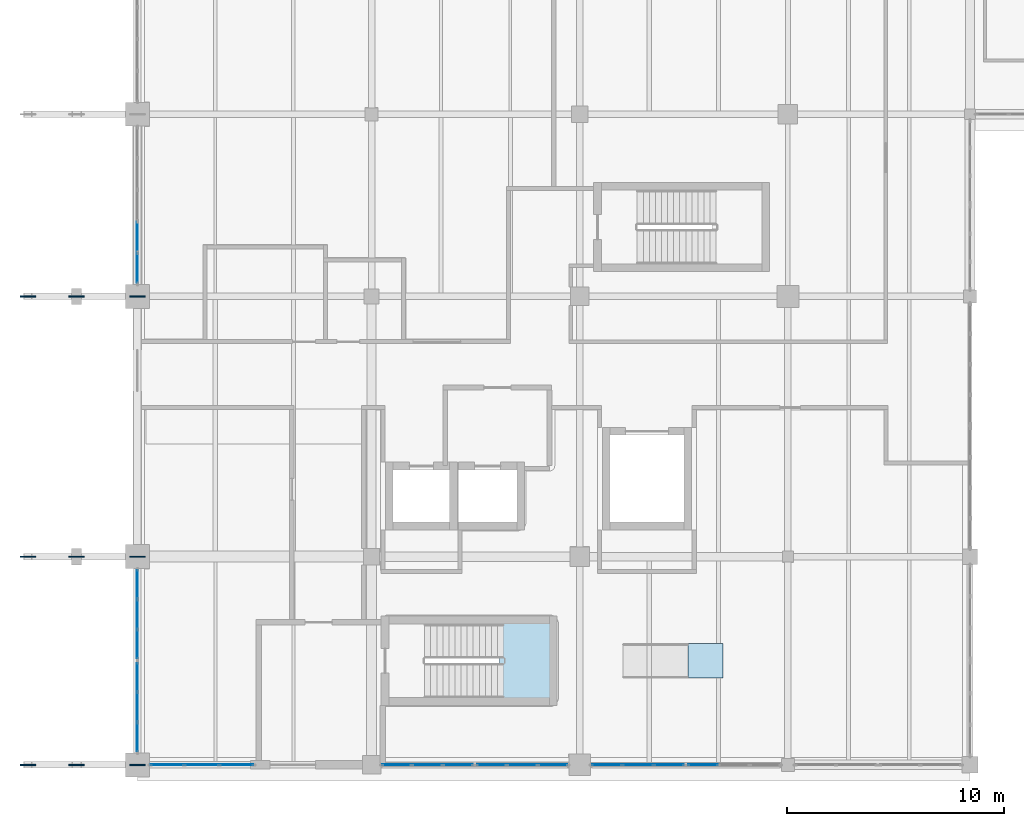
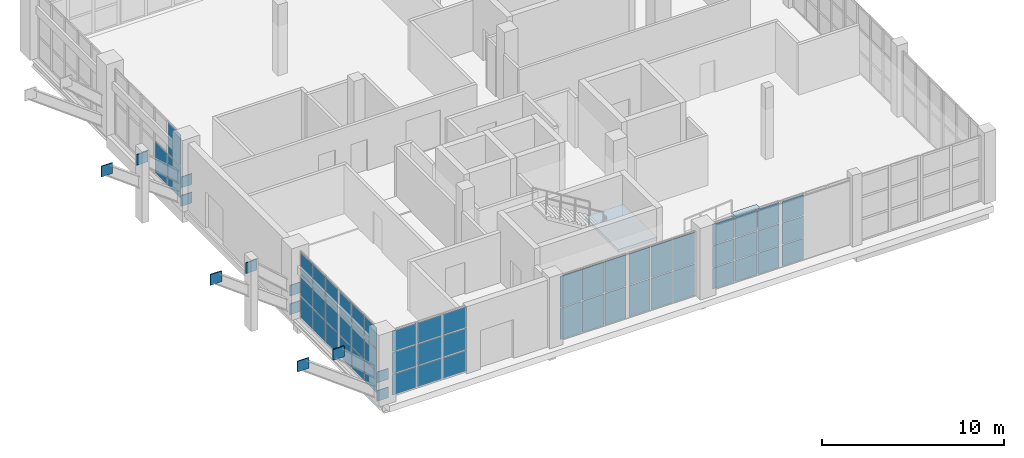
# One storey, part 72 of 121: 66 plates, 2 slabs, 10 elements without a shape of their own.
"""IFC4 building model written with IfcOpenShell, lengths in metres."""

import ifcopenshell
import ifcopenshell.guid

model = None  # the IFC model being written
_history = None  # IfcOwnerHistory: only IFC2X3 demands one
_inside = {}  # id of a spatial element -> (the spatial element, [elements in it])
_under = {}  # id of a project, library or spatial element -> (it, [spatial elements below it])
_declared = {}  # id of a project -> (the project, [libraries it declares])
_typed = {}  # id of a type object -> (the type object, [elements of that type])
_made_of = {}  # id of a material, layer set ... -> (it, [elements and type objects made of it])


def new_model(schema):
    """Start an empty IFC model of exactly this schema.

    Asked for "IFC4X3", IfcOpenShell would pick the latest addendum, in which some entities
    have other attributes; the version numbers below select the first issue.
    IFC2X3 requires an IfcOwnerHistory on every rooted entity: one is made here for all.
    """
    global model, _history
    if schema == "IFC4X3":
        model = ifcopenshell.file(schema_version=(4, 3, 0, 0))
    else:
        model = ifcopenshell.file(schema=schema)
    _inside.clear()
    _under.clear()
    _declared.clear()
    _typed.clear()
    _made_of.clear()
    _history = None
    if model.schema == "IFC2X3":
        org = make("IfcOrganization", Name="unknown")
        user = make(
            "IfcPersonAndOrganization",
            ThePerson=make("IfcPerson", FamilyName="unknown"),
            TheOrganization=org,
        )
        app = make(
            "IfcApplication",
            ApplicationDeveloper=org,
            Version="unknown",
            ApplicationFullName="unknown",
            ApplicationIdentifier="unknown",
        )
        _history = make(
            "IfcOwnerHistory",
            OwningUser=user,
            OwningApplication=app,
            ChangeAction="ADDED",
            CreationDate=0,
        )
    return model


def make(cls, **values):
    """One entity of the class cls with the attributes given. An attribute that is None is left unset."""
    return model.create_entity(
        cls, **{name: value for name, value in values.items() if value is not None}
    )


def rooted(cls, **values):
    """An entity with a GlobalId (a new one), such as an element, a storey or a relation."""
    return make(cls, GlobalId=ifcopenshell.guid.new(), OwnerHistory=_history, **values)


def si_unit(unit_type, name, prefix=None):
    """IfcSIUnit, for example si_unit("LENGTHUNIT", "METRE", prefix="MILLI")."""
    return make("IfcSIUnit", UnitType=unit_type, Prefix=prefix, Name=name)


def assignment(units):
    """IfcUnitAssignment: the units of a project."""
    return None if units is None else make("IfcUnitAssignment", Units=units)


def point(xyz):
    """IfcCartesianPoint."""
    return None if xyz is None else make("IfcCartesianPoint", Coordinates=xyz)


def direction(xyz):
    """IfcDirection."""
    return None if xyz is None else make("IfcDirection", DirectionRatios=xyz)


def frame(location, z_axis=None, x_axis=None):
    """IfcAxis2Placement3D, a coordinate frame: its origin and axes. An axis left out is left unset."""
    return make(
        "IfcAxis2Placement3D",
        Location=point(location),
        Axis=direction(z_axis),
        RefDirection=direction(x_axis),
    )


def frame_2d(location, x_axis=None):
    """IfcAxis2Placement2D, a coordinate frame in the plane: its origin and x axis."""
    return make(
        "IfcAxis2Placement2D", Location=point(location), RefDirection=direction(x_axis)
    )


def origin():
    """The frame at (0, 0, 0) with its axes left unset."""
    return frame((0.0, 0.0, 0.0))


def origin_2d():
    """The frame at (0, 0) in the plane with its x axis left unset."""
    return frame_2d((0.0, 0.0))


def place(relative_to, where):
    """IfcLocalPlacement: puts the frame where relative to a parent placement (None: the world)."""
    return make(
        "IfcLocalPlacement", PlacementRelTo=relative_to, RelativePlacement=where
    )


def context(
    kind, dimensions, precision=None, world=None, true_north=None, identifier=None
):
    """IfcGeometricRepresentationContext, for example the 3D "Model" context."""
    return make(
        "IfcGeometricRepresentationContext",
        ContextIdentifier=identifier,
        ContextType=kind,
        CoordinateSpaceDimension=dimensions,
        Precision=precision,
        WorldCoordinateSystem=world,
        TrueNorth=true_north,
    )


def subcontext(parent, identifier, kind, view, scale=None):
    """IfcGeometricRepresentationSubContext, for example "Body" below "Model"."""
    return make(
        "IfcGeometricRepresentationSubContext",
        ContextIdentifier=identifier,
        ContextType=kind,
        ParentContext=parent,
        TargetScale=scale,
        TargetView=view,
    )


def project(units=None, contexts=None):
    """IfcProject with its units and contexts."""
    return rooted(
        "IfcProject",
        Name="project",
        RepresentationContexts=contexts,
        UnitsInContext=assignment(units),
    )


def spatial(cls, under=None, at=None, **own):
    """A site, building, storey or space (cls), placed at a placement, below another one or the project."""
    s = rooted(cls, ObjectPlacement=at, **own)
    if under is not None:
        _under.setdefault(under.id(), (under, []))[1].append(s)
    return s


def polyline(points):
    """IfcPolyline through the points."""
    return make("IfcPolyline", Points=[point(p) for p in points])


def profile(cls, at=None, kind="AREA", **sizes):
    """A parametric profile (cls). Its sizes go by their IFC names, for example OverallWidth=200.0."""
    return make(cls, ProfileType=kind, Position=at, **sizes)


def rectangle(**sizes):
    """IfcRectangleProfileDef."""
    return profile("IfcRectangleProfileDef", **sizes)


def outline(outer, holes=None, kind="AREA"):
    """IfcArbitraryClosedProfileDef: a profile drawn as a closed curve; with holes, ...WithVoids."""
    if holes is None:
        return make("IfcArbitraryClosedProfileDef", ProfileType=kind, OuterCurve=outer)
    return make(
        "IfcArbitraryProfileDefWithVoids",
        ProfileType=kind,
        OuterCurve=outer,
        InnerCurves=holes,
    )


def extrude(swept, where, along, depth):
    """IfcExtrudedAreaSolid: the profile swept, set in the frame where, extruded along a direction by depth."""
    return make(
        "IfcExtrudedAreaSolid",
        SweptArea=swept,
        Position=where,
        ExtrudedDirection=direction(along),
        Depth=depth,
    )


def shape(context_of_items, identifier, shape_type, items):
    """IfcShapeRepresentation: the items that make up one representation, for example the "Body"."""
    return make(
        "IfcShapeRepresentation",
        ContextOfItems=context_of_items,
        RepresentationIdentifier=identifier,
        RepresentationType=shape_type,
        Items=items,
    )


def material(Name=None, Category=None):
    """IfcMaterial."""
    return make("IfcMaterial", Name=Name, Category=Category)


def layer(
    of_material, thickness, ventilated=None, Name=None, Category=None, Priority=None
):
    """IfcMaterialLayer: one layer of a wall or slab, of a material (None: an air gap)."""
    return make(
        "IfcMaterialLayer",
        Material=of_material,
        LayerThickness=thickness,
        IsVentilated=ventilated,
        Name=Name,
        Category=Category,
        Priority=Priority,
    )


def layer_set(layers, Name=None):
    """IfcMaterialLayerSet."""
    return make("IfcMaterialLayerSet", MaterialLayers=layers, LayerSetName=Name)


def made_of(thing, what):
    """Note that an element or type object is made of a material, layer set ...; save() writes the relation."""
    if what is not None:
        _made_of.setdefault(what.id(), (what, []))[1].append(thing)
    return thing


def type_object(cls, material=None, **own):
    """A type object (cls), such as IfcWallType, which elements share."""
    return made_of(rooted(cls, **own), material)


def element(
    cls,
    number,
    at=None,
    inside=None,
    cuts=None,
    type_object=None,
    material=None,
    context=None,
    identifier="Body",
    shape_type=None,
    held_by="IfcProductDefinitionShape",
    body=None,
    shapes=None,
    **own,
):
    """One element of the class cls, such as IfcWall. Its Tag is "e" and its number.

    at: its placement. inside: the storey or other place that contains it. cuts: it is an
    opening in that element (IfcRelVoidsElement). A single representation is given by context,
    identifier, shape_type and body (its items); several are given by shapes. held_by: the class
    of the entity that holds the representations. save() writes the other relations.
    """
    e = rooted(cls, Tag="e%d" % number, ObjectPlacement=at, **own)
    if body is not None:
        shapes = [shape(context, identifier, shape_type, body)]
    if shapes is not None:
        e.Representation = make(held_by, Representations=shapes)
    if inside is not None:
        _inside.setdefault(inside.id(), (inside, []))[1].append(e)
    if cuts is not None:
        rooted(
            "IfcRelVoidsElement", RelatingBuildingElement=cuts, RelatedOpeningElement=e
        )
    if type_object is not None:
        _typed.setdefault(type_object.id(), (type_object, []))[1].append(e)
    return made_of(e, material)


def aggregate(whole, parts):
    """IfcRelAggregates: a whole, such as a stair, and the parts it consists of."""
    return rooted("IfcRelAggregates", RelatingObject=whole, RelatedObjects=parts)


def save(model, path):
    """Write the relations noted so far, then the file.

    IfcRelAggregates (storeys below a building ...), IfcRelContainedInSpatialStructure (elements
    in a storey), IfcRelDefinesByType, IfcRelAssociatesMaterial and IfcRelDeclares: one each for
    every whole, place, type object, material and project.
    """
    for whole, parts in _under.values():
        aggregate(whole, parts)
    for where, things in _inside.values():
        rooted(
            "IfcRelContainedInSpatialStructure",
            RelatedElements=things,
            RelatingStructure=where,
        )
    for kind, things in _typed.values():
        rooted("IfcRelDefinesByType", RelatedObjects=things, RelatingType=kind)
    for what, things in _made_of.values():
        rooted("IfcRelAssociatesMaterial", RelatedObjects=things, RelatingMaterial=what)
    for by, libraries in _declared.values():
        rooted("IfcRelDeclares", RelatingContext=by, RelatedDefinitions=libraries)
    model.write(path)


model = new_model("IFC4")

# Units and contexts
model_context = context("Model", 3, precision=1e-05, world=origin(), true_north=direction((0.0, 1.0)))
body_context = subcontext(model_context, "Body", "Model", "MODEL_VIEW")
ifc_project = project(units=[si_unit("LENGTHUNIT", "METRE"), si_unit("AREAUNIT", "SQUARE_METRE"), si_unit("VOLUMEUNIT", "CUBIC_METRE"), si_unit("PLANEANGLEUNIT", "RADIAN"), si_unit("MASSUNIT", "GRAM", prefix="KILO")], contexts=[model_context])

# Site, building, storey
site_placement = place(None, origin())
site = spatial("IfcSite", under=ifc_project, at=site_placement, CompositionType="ELEMENT")
building_placement = place(site_placement, origin())
building = spatial("IfcBuilding", under=site, at=building_placement, Name="Zereglee Splitstone Museum", CompositionType="ELEMENT")
storey_placement = place(building_placement, origin())
storey = spatial("IfcBuildingStorey", under=building, at=storey_placement, Name="L00", CompositionType="ELEMENT", Elevation=0.0)

# Curtain wall, plates
ifc_material_1 = material(Name="Triple-glazed low-E argon glass and bronze-anodised aluminium", Category="aluminium")
ifc_layer_1 = layer(ifc_material_1, 0.179931640625)
ifc_layer_set_1 = layer_set([ifc_layer_1], Name="Triple-glazed low-E argon glass and bronze-anodised aluminium")
curtain_wall_type_1 = type_object("IfcCurtainWallType", Name="CW-0728-438", PredefinedType="USERDEFINED", material=ifc_layer_set_1)
curtain_wall_1_placement = place(storey_placement, origin())
curtain_wall_1 = element("IfcCurtainWall", 1, at=curtain_wall_1_placement, inside=storey, type_object=curtain_wall_type_1, Name="Glazed Curtain Wall CW-0728-438 (L00)", ObjectType="GLAZED CURTAIN WALL", PredefinedType="USERDEFINED")
ifc_material_2 = material(Name="Triple low-e argon insulated safety glass", Category="glass")
ifc_layer_2 = layer(ifc_material_2, 0.035888671875)
ifc_layer_set_2 = layer_set([ifc_layer_2], Name="Triple low-e argon insulated safety glass")
plate_type_1 = type_object("IfcPlateType", Name="CWP-01", PredefinedType="CURTAIN_PANEL", material=ifc_layer_set_2)
plate_1_placement = place(storey_placement, frame((9.60009765625, 24.34326171875, 0.06494140625), z_axis=(0.0, 0.0, 1.0), x_axis=(0.0, -1.0, 0.0)))
plate_1 = element("IfcPlate", 2, at=plate_1_placement, type_object=plate_type_1, Name="CW-0728-438 panel 4.1", PredefinedType="CURTAIN_PANEL", context=body_context, shape_type="SweptSolid", body=[
    extrude(rectangle(XDim=1.391845703125, YDim=0.035888671875, at=origin_2d()), origin(), (0.0, 0.0, 1.0), 2.092529296875),
])
plate_2_placement = place(storey_placement, frame((9.60009765625, 22.902587890625, 0.06494140625), z_axis=(0.0, 0.0, 1.0), x_axis=(0.0, -1.0, 0.0)))
plate_2 = element("IfcPlate", 3, at=plate_2_placement, type_object=plate_type_1, Name="CW-0728-438 panel 5.1", PredefinedType="CURTAIN_PANEL", context=body_context, shape_type="SweptSolid", body=[
    extrude(rectangle(XDim=1.359375, YDim=0.035888671875, at=origin_2d()), origin(), (0.0, 0.0, 1.0), 2.092529296875),
])
plate_3_placement = place(storey_placement, frame((9.60009765625, 22.902587890625, 2.22265625), z_axis=(0.0, 0.0, 1.0), x_axis=(0.0, -1.0, 0.0)))
plate_3 = element("IfcPlate", 4, at=plate_3_placement, type_object=plate_type_1, Name="CW-0728-438 panel 5.2", PredefinedType="CURTAIN_PANEL", context=body_context, shape_type="SweptSolid", body=[
    extrude(rectangle(XDim=1.359375, YDim=0.035888671875, at=origin_2d()), origin(), (0.0, 0.0, 1.0), 2.092529296875),
])
aggregate(curtain_wall_1, [plate_1, plate_2, plate_3])

ifc_layer_3 = layer(ifc_material_1, 0.179931640625)
ifc_layer_set_3 = layer_set([ifc_layer_3], Name="Triple-glazed low-E argon glass and bronze-anodised aluminium")
curtain_wall_type_2 = type_object("IfcCurtainWallType", Name="CW-0420-450", PredefinedType="USERDEFINED", material=ifc_layer_set_3)
curtain_wall_2_placement = place(storey_placement, origin())
curtain_wall_2 = element("IfcCurtainWall", 5, at=curtain_wall_2_placement, inside=storey, type_object=curtain_wall_type_2, Name="Glazed Curtain Wall CW-0420-450 (L00)", ObjectType="GLAZED CURTAIN WALL", PredefinedType="USERDEFINED")
plate_4_placement = place(storey_placement, frame((9.60009765625, 8.325439453125, 0.06494140625), z_axis=(0.0, 0.0, 1.0), x_axis=(0.0, -1.0, 0.0)))
plate_4 = element("IfcPlate", 6, at=plate_4_placement, type_object=plate_type_1, Name="CW-0420-450 panel 1.1", PredefinedType="CURTAIN_PANEL", context=body_context, shape_type="SweptSolid", body=[
    extrude(rectangle(XDim=1.30322265625, YDim=0.035888671875, at=origin_2d()), origin(), (0.0, 0.0, 1.0), 1.402587890625),
])
plate_5_placement = place(storey_placement, frame((9.60009765625, 8.325439453125, 1.532470703125), z_axis=(0.0, 0.0, 1.0), x_axis=(0.0, -1.0, 0.0)))
plate_5 = element("IfcPlate", 7, at=plate_5_placement, type_object=plate_type_1, Name="CW-0420-450 panel 1.2", PredefinedType="CURTAIN_PANEL", context=body_context, shape_type="SweptSolid", body=[
    extrude(rectangle(XDim=1.30322265625, YDim=0.035888671875, at=origin_2d()), origin(), (0.0, 0.0, 1.0), 1.43505859375),
])
plate_6_placement = place(storey_placement, frame((9.60009765625, 8.325439453125, 3.0322265625), z_axis=(0.0, 0.0, 1.0), x_axis=(0.0, -1.0, 0.0)))
plate_6 = element("IfcPlate", 8, at=plate_6_placement, type_object=plate_type_1, Name="CW-0420-450 panel 1.3", PredefinedType="CURTAIN_PANEL", context=body_context, shape_type="SweptSolid", body=[
    extrude(rectangle(XDim=1.30322265625, YDim=0.035888671875, at=origin_2d()), origin(), (0.0, 0.0, 1.0), 1.402587890625),
])
plate_7_placement = place(storey_placement, frame((9.60009765625, 6.94091796875, 0.06494140625), z_axis=(0.0, 0.0, 1.0), x_axis=(0.0, -1.0, 0.0)))
plate_7 = element("IfcPlate", 9, at=plate_7_placement, type_object=plate_type_1, Name="CW-0420-450 panel 2.1", PredefinedType="CURTAIN_PANEL", context=body_context, shape_type="SweptSolid", body=[
    extrude(rectangle(XDim=1.335693359375, YDim=0.035888671875, at=origin_2d()), origin(), (0.0, 0.0, 1.0), 1.402587890625),
])
plate_8_placement = place(storey_placement, frame((9.60009765625, 6.94091796875, 1.532470703125), z_axis=(0.0, 0.0, 1.0), x_axis=(0.0, -1.0, 0.0)))
plate_8 = element("IfcPlate", 10, at=plate_8_placement, type_object=plate_type_1, Name="CW-0420-450 panel 2.2", PredefinedType="CURTAIN_PANEL", context=body_context, shape_type="SweptSolid", body=[
    extrude(rectangle(XDim=1.335693359375, YDim=0.035888671875, at=origin_2d()), origin(), (0.0, 0.0, 1.0), 1.43505859375),
])
plate_9_placement = place(storey_placement, frame((9.60009765625, 6.94091796875, 3.0322265625), z_axis=(0.0, 0.0, 1.0), x_axis=(0.0, -1.0, 0.0)))
plate_9 = element("IfcPlate", 11, at=plate_9_placement, type_object=plate_type_1, Name="CW-0420-450 panel 2.3", PredefinedType="CURTAIN_PANEL", context=body_context, shape_type="SweptSolid", body=[
    extrude(rectangle(XDim=1.335693359375, YDim=0.035888671875, at=origin_2d()), origin(), (0.0, 0.0, 1.0), 1.402587890625),
])
plate_10_placement = place(storey_placement, frame((9.60009765625, 5.556640625, 0.06494140625), z_axis=(0.0, 0.0, 1.0), x_axis=(0.0, -1.0, 0.0)))
plate_10 = element("IfcPlate", 12, at=plate_10_placement, type_object=plate_type_1, Name="CW-0420-450 panel 3.1", PredefinedType="CURTAIN_PANEL", context=body_context, shape_type="SweptSolid", body=[
    extrude(rectangle(XDim=1.30322265625, YDim=0.035888671875, at=origin_2d()), origin(), (0.0, 0.0, 1.0), 1.402587890625),
])
plate_11_placement = place(storey_placement, frame((9.60009765625, 5.556640625, 1.532470703125), z_axis=(0.0, 0.0, 1.0), x_axis=(0.0, -1.0, 0.0)))
plate_11 = element("IfcPlate", 13, at=plate_11_placement, type_object=plate_type_1, Name="CW-0420-450 panel 3.2", PredefinedType="CURTAIN_PANEL", context=body_context, shape_type="SweptSolid", body=[
    extrude(rectangle(XDim=1.30322265625, YDim=0.035888671875, at=origin_2d()), origin(), (0.0, 0.0, 1.0), 1.43505859375),
])
plate_12_placement = place(storey_placement, frame((9.60009765625, 5.556640625, 3.0322265625), z_axis=(0.0, 0.0, 1.0), x_axis=(0.0, -1.0, 0.0)))
plate_12 = element("IfcPlate", 14, at=plate_12_placement, type_object=plate_type_1, Name="CW-0420-450 panel 3.3", PredefinedType="CURTAIN_PANEL", context=body_context, shape_type="SweptSolid", body=[
    extrude(rectangle(XDim=1.30322265625, YDim=0.035888671875, at=origin_2d()), origin(), (0.0, 0.0, 1.0), 1.402587890625),
])
aggregate(curtain_wall_2, [plate_4, plate_5, plate_6, plate_7, plate_8, plate_9, plate_10, plate_11, plate_12])

ifc_layer_4 = layer(ifc_material_1, 0.179931640625)
ifc_layer_set_4 = layer_set([ifc_layer_4], Name="Triple-glazed low-E argon glass and bronze-anodised aluminium")
curtain_wall_type_3 = type_object("IfcCurtainWallType", Name="CW-0420-448", PredefinedType="USERDEFINED", material=ifc_layer_set_4)
curtain_wall_3_placement = place(storey_placement, origin())
curtain_wall_3 = element("IfcCurtainWall", 15, at=curtain_wall_3_placement, inside=storey, type_object=curtain_wall_type_3, Name="Glazed Curtain Wall CW-0420-448 (L00)", ObjectType="GLAZED CURTAIN WALL", PredefinedType="USERDEFINED")
plate_13_placement = place(storey_placement, frame((9.60009765625, 4.04345703125, 0.06494140625), z_axis=(0.0, 0.0, 1.0), x_axis=(0.0, -1.0, 0.0)))
plate_13 = element("IfcPlate", 16, at=plate_13_placement, type_object=plate_type_1, Name="CW-0420-448 panel 1.1", PredefinedType="CURTAIN_PANEL", context=body_context, shape_type="SweptSolid", body=[
    extrude(rectangle(XDim=1.30322265625, YDim=0.035888671875, at=origin_2d()), origin(), (0.0, 0.0, 1.0), 1.395751953125),
])
plate_14_placement = place(storey_placement, frame((9.60009765625, 4.04345703125, 1.52587890625), z_axis=(0.0, 0.0, 1.0), x_axis=(0.0, -1.0, 0.0)))
plate_14 = element("IfcPlate", 17, at=plate_14_placement, type_object=plate_type_1, Name="CW-0420-448 panel 1.2", PredefinedType="CURTAIN_PANEL", context=body_context, shape_type="SweptSolid", body=[
    extrude(rectangle(XDim=1.30322265625, YDim=0.035888671875, at=origin_2d()), origin(), (0.0, 0.0, 1.0), 1.428466796875),
])
plate_15_placement = place(storey_placement, frame((9.60009765625, 4.04345703125, 3.01904296875), z_axis=(0.0, 0.0, 1.0), x_axis=(0.0, -1.0, 0.0)))
plate_15 = element("IfcPlate", 18, at=plate_15_placement, type_object=plate_type_1, Name="CW-0420-448 panel 1.3", PredefinedType="CURTAIN_PANEL", context=body_context, shape_type="SweptSolid", body=[
    extrude(rectangle(XDim=1.30322265625, YDim=0.035888671875, at=origin_2d()), origin(), (0.0, 0.0, 1.0), 1.395751953125),
])
plate_16_placement = place(storey_placement, frame((9.60009765625, 2.658935546875, 0.06494140625), z_axis=(0.0, 0.0, 1.0), x_axis=(0.0, -1.0, 0.0)))
plate_16 = element("IfcPlate", 19, at=plate_16_placement, type_object=plate_type_1, Name="CW-0420-448 panel 2.1", PredefinedType="CURTAIN_PANEL", context=body_context, shape_type="SweptSolid", body=[
    extrude(rectangle(XDim=1.335693359375, YDim=0.035888671875, at=origin_2d()), origin(), (0.0, 0.0, 1.0), 1.395751953125),
])
plate_17_placement = place(storey_placement, frame((9.60009765625, 2.658935546875, 1.52587890625), z_axis=(0.0, 0.0, 1.0), x_axis=(0.0, -1.0, 0.0)))
plate_17 = element("IfcPlate", 20, at=plate_17_placement, type_object=plate_type_1, Name="CW-0420-448 panel 2.2", PredefinedType="CURTAIN_PANEL", context=body_context, shape_type="SweptSolid", body=[
    extrude(rectangle(XDim=1.335693359375, YDim=0.035888671875, at=origin_2d()), origin(), (0.0, 0.0, 1.0), 1.428466796875),
])
plate_18_placement = place(storey_placement, frame((9.60009765625, 2.658935546875, 3.01904296875), z_axis=(0.0, 0.0, 1.0), x_axis=(0.0, -1.0, 0.0)))
plate_18 = element("IfcPlate", 21, at=plate_18_placement, type_object=plate_type_1, Name="CW-0420-448 panel 2.3", PredefinedType="CURTAIN_PANEL", context=body_context, shape_type="SweptSolid", body=[
    extrude(rectangle(XDim=1.335693359375, YDim=0.035888671875, at=origin_2d()), origin(), (0.0, 0.0, 1.0), 1.395751953125),
])
plate_19_placement = place(storey_placement, frame((9.60009765625, 1.274658203125, 0.06494140625), z_axis=(0.0, 0.0, 1.0), x_axis=(0.0, -1.0, 0.0)))
plate_19 = element("IfcPlate", 22, at=plate_19_placement, type_object=plate_type_1, Name="CW-0420-448 panel 3.1", PredefinedType="CURTAIN_PANEL", context=body_context, shape_type="SweptSolid", body=[
    extrude(rectangle(XDim=1.30322265625, YDim=0.035888671875, at=origin_2d()), origin(), (0.0, 0.0, 1.0), 1.395751953125),
])
plate_20_placement = place(storey_placement, frame((9.60009765625, 1.274658203125, 1.52587890625), z_axis=(0.0, 0.0, 1.0), x_axis=(0.0, -1.0, 0.0)))
plate_20 = element("IfcPlate", 23, at=plate_20_placement, type_object=plate_type_1, Name="CW-0420-448 panel 3.2", PredefinedType="CURTAIN_PANEL", context=body_context, shape_type="SweptSolid", body=[
    extrude(rectangle(XDim=1.30322265625, YDim=0.035888671875, at=origin_2d()), origin(), (0.0, 0.0, 1.0), 1.428466796875),
])
plate_21_placement = place(storey_placement, frame((9.60009765625, 1.274658203125, 3.01904296875), z_axis=(0.0, 0.0, 1.0), x_axis=(0.0, -1.0, 0.0)))
plate_21 = element("IfcPlate", 24, at=plate_21_placement, type_object=plate_type_1, Name="CW-0420-448 panel 3.3", PredefinedType="CURTAIN_PANEL", context=body_context, shape_type="SweptSolid", body=[
    extrude(rectangle(XDim=1.30322265625, YDim=0.035888671875, at=origin_2d()), origin(), (0.0, 0.0, 1.0), 1.395751953125),
])
aggregate(curtain_wall_3, [plate_13, plate_14, plate_15, plate_16, plate_17, plate_18, plate_19, plate_20, plate_21])

ifc_layer_5 = layer(ifc_material_1, 0.179931640625)
ifc_layer_set_5 = layer_set([ifc_layer_5], Name="Triple-glazed low-E argon glass and bronze-anodised aluminium")
curtain_wall_type_4 = type_object("IfcCurtainWallType", Name="CW-0484-444", PredefinedType="USERDEFINED", material=ifc_layer_set_5)
curtain_wall_4_placement = place(storey_placement, origin())
curtain_wall_4 = element("IfcCurtainWall", 25, at=curtain_wall_4_placement, inside=storey, type_object=curtain_wall_type_4, Name="Glazed Curtain Wall CW-0484-444 (L00)", ObjectType="GLAZED CURTAIN WALL", PredefinedType="USERDEFINED")
plate_22_placement = place(storey_placement, frame((10.981201171875, 0.0, 0.06494140625), z_axis=(0.0, 0.0, 1.0), x_axis=(1.0, 0.0, 0.0)))
plate_22 = element("IfcPlate", 26, at=plate_22_placement, type_object=plate_type_1, Name="CW-0484-444 panel 1.1", PredefinedType="CURTAIN_PANEL", context=body_context, shape_type="SweptSolid", body=[
    extrude(rectangle(XDim=1.5166015625, YDim=0.035888671875, at=origin_2d()), origin(), (0.0, 0.0, 1.0), 1.382568359375),
])
plate_23_placement = place(storey_placement, frame((10.981201171875, 0.0, 1.512451171875), z_axis=(0.0, 0.0, 1.0), x_axis=(1.0, 0.0, 0.0)))
plate_23 = element("IfcPlate", 27, at=plate_23_placement, type_object=plate_type_1, Name="CW-0484-444 panel 1.2", PredefinedType="CURTAIN_PANEL", context=body_context, shape_type="SweptSolid", body=[
    extrude(rectangle(XDim=1.5166015625, YDim=0.035888671875, at=origin_2d()), origin(), (0.0, 0.0, 1.0), 1.4150390625),
])
plate_24_placement = place(storey_placement, frame((10.981201171875, 0.0, 2.99267578125), z_axis=(0.0, 0.0, 1.0), x_axis=(1.0, 0.0, 0.0)))
plate_24 = element("IfcPlate", 28, at=plate_24_placement, type_object=plate_type_1, Name="CW-0484-444 panel 1.3", PredefinedType="CURTAIN_PANEL", context=body_context, shape_type="SweptSolid", body=[
    extrude(rectangle(XDim=1.5166015625, YDim=0.035888671875, at=origin_2d()), origin(), (0.0, 0.0, 1.0), 1.382568359375),
])
plate_25_placement = place(storey_placement, frame((12.5791015625, 0.0, 0.06494140625), z_axis=(0.0, 0.0, 1.0), x_axis=(1.0, 0.0, 0.0)))
plate_25 = element("IfcPlate", 29, at=plate_25_placement, type_object=plate_type_1, Name="CW-0484-444 panel 2.1", PredefinedType="CURTAIN_PANEL", context=body_context, shape_type="SweptSolid", body=[
    extrude(rectangle(XDim=1.549072265625, YDim=0.035888671875, at=origin_2d()), origin(), (0.0, 0.0, 1.0), 1.382568359375),
])
plate_26_placement = place(storey_placement, frame((12.5791015625, 0.0, 1.512451171875), z_axis=(0.0, 0.0, 1.0), x_axis=(1.0, 0.0, 0.0)))
plate_26 = element("IfcPlate", 30, at=plate_26_placement, type_object=plate_type_1, Name="CW-0484-444 panel 2.2", PredefinedType="CURTAIN_PANEL", context=body_context, shape_type="SweptSolid", body=[
    extrude(rectangle(XDim=1.549072265625, YDim=0.035888671875, at=origin_2d()), origin(), (0.0, 0.0, 1.0), 1.4150390625),
])
plate_27_placement = place(storey_placement, frame((12.5791015625, 0.0, 2.99267578125), z_axis=(0.0, 0.0, 1.0), x_axis=(1.0, 0.0, 0.0)))
plate_27 = element("IfcPlate", 31, at=plate_27_placement, type_object=plate_type_1, Name="CW-0484-444 panel 2.3", PredefinedType="CURTAIN_PANEL", context=body_context, shape_type="SweptSolid", body=[
    extrude(rectangle(XDim=1.549072265625, YDim=0.035888671875, at=origin_2d()), origin(), (0.0, 0.0, 1.0), 1.382568359375),
])
plate_28_placement = place(storey_placement, frame((14.1767578125, 0.0, 0.06494140625), z_axis=(0.0, 0.0, 1.0), x_axis=(1.0, 0.0, 0.0)))
plate_28 = element("IfcPlate", 32, at=plate_28_placement, type_object=plate_type_1, Name="CW-0484-444 panel 3.1", PredefinedType="CURTAIN_PANEL", context=body_context, shape_type="SweptSolid", body=[
    extrude(rectangle(XDim=1.5166015625, YDim=0.035888671875, at=origin_2d()), origin(), (0.0, 0.0, 1.0), 1.382568359375),
])
plate_29_placement = place(storey_placement, frame((14.1767578125, 0.0, 1.512451171875), z_axis=(0.0, 0.0, 1.0), x_axis=(1.0, 0.0, 0.0)))
plate_29 = element("IfcPlate", 33, at=plate_29_placement, type_object=plate_type_1, Name="CW-0484-444 panel 3.2", PredefinedType="CURTAIN_PANEL", context=body_context, shape_type="SweptSolid", body=[
    extrude(rectangle(XDim=1.5166015625, YDim=0.035888671875, at=origin_2d()), origin(), (0.0, 0.0, 1.0), 1.4150390625),
])
plate_30_placement = place(storey_placement, frame((14.1767578125, 0.0, 2.99267578125), z_axis=(0.0, 0.0, 1.0), x_axis=(1.0, 0.0, 0.0)))
plate_30 = element("IfcPlate", 34, at=plate_30_placement, type_object=plate_type_1, Name="CW-0484-444 panel 3.3", PredefinedType="CURTAIN_PANEL", context=body_context, shape_type="SweptSolid", body=[
    extrude(rectangle(XDim=1.5166015625, YDim=0.035888671875, at=origin_2d()), origin(), (0.0, 0.0, 1.0), 1.382568359375),
])
aggregate(curtain_wall_4, [plate_22, plate_23, plate_24, plate_25, plate_26, plate_27, plate_28, plate_29, plate_30])

ifc_layer_6 = layer(ifc_material_1, 0.179931640625)
ifc_layer_set_6 = layer_set([ifc_layer_6], Name="Triple-glazed low-E argon glass and bronze-anodised aluminium")
curtain_wall_type_5 = type_object("IfcCurtainWallType", Name="CW-0429-438", PredefinedType="USERDEFINED", material=ifc_layer_set_6)
curtain_wall_5_placement = place(storey_placement, origin())
curtain_wall_5 = element("IfcCurtainWall", 35, at=curtain_wall_5_placement, inside=storey, type_object=curtain_wall_type_5, Name="Glazed Curtain Wall CW-0429-438 (L00)", ObjectType="GLAZED CURTAIN WALL", PredefinedType="USERDEFINED")
plate_31_placement = place(storey_placement, frame((21.564208984375, 0.0, 0.06494140625), z_axis=(0.0, 0.0, 1.0), x_axis=(1.0, 0.0, 0.0)))
plate_31 = element("IfcPlate", 36, at=plate_31_placement, type_object=plate_type_1, Name="CW-0429-438 panel 1.1", PredefinedType="CURTAIN_PANEL", context=body_context, shape_type="SweptSolid", body=[
    extrude(rectangle(XDim=1.332275390625, YDim=0.035888671875, at=origin_2d()), origin(), (0.0, 0.0, 1.0), 2.092529296875),
])
plate_32_placement = place(storey_placement, frame((21.564208984375, 0.0, 2.22265625), z_axis=(0.0, 0.0, 1.0), x_axis=(1.0, 0.0, 0.0)))
plate_32 = element("IfcPlate", 37, at=plate_32_placement, type_object=plate_type_1, Name="CW-0429-438 panel 1.2", PredefinedType="CURTAIN_PANEL", context=body_context, shape_type="SweptSolid", body=[
    extrude(rectangle(XDim=1.332275390625, YDim=0.035888671875, at=origin_2d()), origin(), (0.0, 0.0, 1.0), 2.092529296875),
])
plate_33_placement = place(storey_placement, frame((22.977783203125, 0.0, 0.06494140625), z_axis=(0.0, 0.0, 1.0), x_axis=(1.0, 0.0, 0.0)))
plate_33 = element("IfcPlate", 38, at=plate_33_placement, type_object=plate_type_1, Name="CW-0429-438 panel 2.1", PredefinedType="CURTAIN_PANEL", context=body_context, shape_type="SweptSolid", body=[
    extrude(rectangle(XDim=1.36474609375, YDim=0.035888671875, at=origin_2d()), origin(), (0.0, 0.0, 1.0), 2.092529296875),
])
plate_34_placement = place(storey_placement, frame((22.977783203125, 0.0, 2.22265625), z_axis=(0.0, 0.0, 1.0), x_axis=(1.0, 0.0, 0.0)))
plate_34 = element("IfcPlate", 39, at=plate_34_placement, type_object=plate_type_1, Name="CW-0429-438 panel 2.2", PredefinedType="CURTAIN_PANEL", context=body_context, shape_type="SweptSolid", body=[
    extrude(rectangle(XDim=1.36474609375, YDim=0.035888671875, at=origin_2d()), origin(), (0.0, 0.0, 1.0), 2.092529296875),
])
plate_35_placement = place(storey_placement, frame((24.391357421875, 0.0, 0.06494140625), z_axis=(0.0, 0.0, 1.0), x_axis=(1.0, 0.0, 0.0)))
plate_35 = element("IfcPlate", 40, at=plate_35_placement, type_object=plate_type_1, Name="CW-0429-438 panel 3.1", PredefinedType="CURTAIN_PANEL", context=body_context, shape_type="SweptSolid", body=[
    extrude(rectangle(XDim=1.332275390625, YDim=0.035888671875, at=origin_2d()), origin(), (0.0, 0.0, 1.0), 2.092529296875),
])
plate_36_placement = place(storey_placement, frame((24.391357421875, 0.0, 2.22265625), z_axis=(0.0, 0.0, 1.0), x_axis=(1.0, 0.0, 0.0)))
plate_36 = element("IfcPlate", 41, at=plate_36_placement, type_object=plate_type_1, Name="CW-0429-438 panel 3.2", PredefinedType="CURTAIN_PANEL", context=body_context, shape_type="SweptSolid", body=[
    extrude(rectangle(XDim=1.332275390625, YDim=0.035888671875, at=origin_2d()), origin(), (0.0, 0.0, 1.0), 2.092529296875),
])
aggregate(curtain_wall_5, [plate_31, plate_32, plate_33, plate_34, plate_35, plate_36])

ifc_layer_7 = layer(ifc_material_1, 0.179931640625)
ifc_layer_set_7 = layer_set([ifc_layer_7], Name="Triple-glazed low-E argon glass and bronze-anodised aluminium")
curtain_wall_type_6 = type_object("IfcCurtainWallType", Name="CW-0429-436", PredefinedType="USERDEFINED", material=ifc_layer_set_7)
curtain_wall_6_placement = place(storey_placement, origin())
curtain_wall_6 = element("IfcCurtainWall", 42, at=curtain_wall_6_placement, inside=storey, type_object=curtain_wall_type_6, Name="Glazed Curtain Wall CW-0429-436 (L00)", ObjectType="GLAZED CURTAIN WALL", PredefinedType="USERDEFINED")
plate_37_placement = place(storey_placement, frame((25.93359375, 0.0, 0.06494140625), z_axis=(0.0, 0.0, 1.0), x_axis=(1.0, 0.0, 0.0)))
plate_37 = element("IfcPlate", 43, at=plate_37_placement, type_object=plate_type_1, Name="CW-0429-436 panel 1.1", PredefinedType="CURTAIN_PANEL", context=body_context, shape_type="SweptSolid", body=[
    extrude(rectangle(XDim=1.332275390625, YDim=0.035888671875, at=origin_2d()), origin(), (0.0, 0.0, 1.0), 2.08251953125),
])
plate_38_placement = place(storey_placement, frame((25.93359375, 0.0, 2.21240234375), z_axis=(0.0, 0.0, 1.0), x_axis=(1.0, 0.0, 0.0)))
plate_38 = element("IfcPlate", 44, at=plate_38_placement, type_object=plate_type_1, Name="CW-0429-436 panel 1.2", PredefinedType="CURTAIN_PANEL", context=body_context, shape_type="SweptSolid", body=[
    extrude(rectangle(XDim=1.332275390625, YDim=0.035888671875, at=origin_2d()), origin(), (0.0, 0.0, 1.0), 2.08251953125),
])
plate_39_placement = place(storey_placement, frame((27.34716796875, 0.0, 0.06494140625), z_axis=(0.0, 0.0, 1.0), x_axis=(1.0, 0.0, 0.0)))
plate_39 = element("IfcPlate", 45, at=plate_39_placement, type_object=plate_type_1, Name="CW-0429-436 panel 2.1", PredefinedType="CURTAIN_PANEL", context=body_context, shape_type="SweptSolid", body=[
    extrude(rectangle(XDim=1.36474609375, YDim=0.035888671875, at=origin_2d()), origin(), (0.0, 0.0, 1.0), 2.08251953125),
])
plate_40_placement = place(storey_placement, frame((27.34716796875, 0.0, 2.21240234375), z_axis=(0.0, 0.0, 1.0), x_axis=(1.0, 0.0, 0.0)))
plate_40 = element("IfcPlate", 46, at=plate_40_placement, type_object=plate_type_1, Name="CW-0429-436 panel 2.2", PredefinedType="CURTAIN_PANEL", context=body_context, shape_type="SweptSolid", body=[
    extrude(rectangle(XDim=1.36474609375, YDim=0.035888671875, at=origin_2d()), origin(), (0.0, 0.0, 1.0), 2.08251953125),
])
plate_41_placement = place(storey_placement, frame((28.7607421875, 0.0, 0.06494140625), z_axis=(0.0, 0.0, 1.0), x_axis=(1.0, 0.0, 0.0)))
plate_41 = element("IfcPlate", 47, at=plate_41_placement, type_object=plate_type_1, Name="CW-0429-436 panel 3.1", PredefinedType="CURTAIN_PANEL", context=body_context, shape_type="SweptSolid", body=[
    extrude(rectangle(XDim=1.332275390625, YDim=0.035888671875, at=origin_2d()), origin(), (0.0, 0.0, 1.0), 2.08251953125),
])
plate_42_placement = place(storey_placement, frame((28.7607421875, 0.0, 2.21240234375), z_axis=(0.0, 0.0, 1.0), x_axis=(1.0, 0.0, 0.0)))
plate_42 = element("IfcPlate", 48, at=plate_42_placement, type_object=plate_type_1, Name="CW-0429-436 panel 3.2", PredefinedType="CURTAIN_PANEL", context=body_context, shape_type="SweptSolid", body=[
    extrude(rectangle(XDim=1.332275390625, YDim=0.035888671875, at=origin_2d()), origin(), (0.0, 0.0, 1.0), 2.08251953125),
])
aggregate(curtain_wall_6, [plate_37, plate_38, plate_39, plate_40, plate_41, plate_42])

ifc_layer_8 = layer(ifc_material_1, 0.179931640625)
ifc_layer_set_8 = layer_set([ifc_layer_8], Name="Triple-glazed low-E argon glass and bronze-anodised aluminium")
curtain_wall_type_7 = type_object("IfcCurtainWallType", Name="CW-0435-450", PredefinedType="USERDEFINED", material=ifc_layer_set_8)
curtain_wall_7_placement = place(storey_placement, origin())
curtain_wall_7 = element("IfcCurtainWall", 49, at=curtain_wall_7_placement, inside=storey, type_object=curtain_wall_type_7, Name="Glazed Curtain Wall CW-0435-450 (L00)", ObjectType="GLAZED CURTAIN WALL", PredefinedType="USERDEFINED")
plate_43_placement = place(storey_placement, frame((31.24951171875, 0.0, 0.06494140625), z_axis=(0.0, 0.0, 1.0), x_axis=(1.0, 0.0, 0.0)))
plate_43 = element("IfcPlate", 50, at=plate_43_placement, type_object=plate_type_1, Name="CW-0435-450 panel 1.1", PredefinedType="CURTAIN_PANEL", context=body_context, shape_type="SweptSolid", body=[
    extrude(rectangle(XDim=1.353271484375, YDim=0.035888671875, at=origin_2d()), origin(), (0.0, 0.0, 1.0), 1.402587890625),
])
plate_44_placement = place(storey_placement, frame((31.24951171875, 0.0, 1.532470703125), z_axis=(0.0, 0.0, 1.0), x_axis=(1.0, 0.0, 0.0)))
plate_44 = element("IfcPlate", 51, at=plate_44_placement, type_object=plate_type_1, Name="CW-0435-450 panel 1.2", PredefinedType="CURTAIN_PANEL", context=body_context, shape_type="SweptSolid", body=[
    extrude(rectangle(XDim=1.353271484375, YDim=0.035888671875, at=origin_2d()), origin(), (0.0, 0.0, 1.0), 1.43505859375),
])
plate_45_placement = place(storey_placement, frame((31.24951171875, 0.0, 3.0322265625), z_axis=(0.0, 0.0, 1.0), x_axis=(1.0, 0.0, 0.0)))
plate_45 = element("IfcPlate", 52, at=plate_45_placement, type_object=plate_type_1, Name="CW-0435-450 panel 1.3", PredefinedType="CURTAIN_PANEL", context=body_context, shape_type="SweptSolid", body=[
    extrude(rectangle(XDim=1.353271484375, YDim=0.035888671875, at=origin_2d()), origin(), (0.0, 0.0, 1.0), 1.402587890625),
])
plate_46_placement = place(storey_placement, frame((32.68408203125, 0.0, 0.06494140625), z_axis=(0.0, 0.0, 1.0), x_axis=(1.0, 0.0, 0.0)))
plate_46 = element("IfcPlate", 53, at=plate_46_placement, type_object=plate_type_1, Name="CW-0435-450 panel 2.1", PredefinedType="CURTAIN_PANEL", context=body_context, shape_type="SweptSolid", body=[
    extrude(rectangle(XDim=1.3857421875, YDim=0.035888671875, at=origin_2d()), origin(), (0.0, 0.0, 1.0), 1.402587890625),
])
plate_47_placement = place(storey_placement, frame((32.68408203125, 0.0, 1.532470703125), z_axis=(0.0, 0.0, 1.0), x_axis=(1.0, 0.0, 0.0)))
plate_47 = element("IfcPlate", 54, at=plate_47_placement, type_object=plate_type_1, Name="CW-0435-450 panel 2.2", PredefinedType="CURTAIN_PANEL", context=body_context, shape_type="SweptSolid", body=[
    extrude(rectangle(XDim=1.3857421875, YDim=0.035888671875, at=origin_2d()), origin(), (0.0, 0.0, 1.0), 1.43505859375),
])
plate_48_placement = place(storey_placement, frame((32.68408203125, 0.0, 3.0322265625), z_axis=(0.0, 0.0, 1.0), x_axis=(1.0, 0.0, 0.0)))
plate_48 = element("IfcPlate", 55, at=plate_48_placement, type_object=plate_type_1, Name="CW-0435-450 panel 2.3", PredefinedType="CURTAIN_PANEL", context=body_context, shape_type="SweptSolid", body=[
    extrude(rectangle(XDim=1.3857421875, YDim=0.035888671875, at=origin_2d()), origin(), (0.0, 0.0, 1.0), 1.402587890625),
])
plate_49_placement = place(storey_placement, frame((34.118408203125, 0.0, 0.06494140625), z_axis=(0.0, 0.0, 1.0), x_axis=(1.0, 0.0, 0.0)))
plate_49 = element("IfcPlate", 56, at=plate_49_placement, type_object=plate_type_1, Name="CW-0435-450 panel 3.1", PredefinedType="CURTAIN_PANEL", context=body_context, shape_type="SweptSolid", body=[
    extrude(rectangle(XDim=1.353271484375, YDim=0.035888671875, at=origin_2d()), origin(), (0.0, 0.0, 1.0), 1.402587890625),
])
plate_50_placement = place(storey_placement, frame((34.118408203125, 0.0, 1.532470703125), z_axis=(0.0, 0.0, 1.0), x_axis=(1.0, 0.0, 0.0)))
plate_50 = element("IfcPlate", 57, at=plate_50_placement, type_object=plate_type_1, Name="CW-0435-450 panel 3.2", PredefinedType="CURTAIN_PANEL", context=body_context, shape_type="SweptSolid", body=[
    extrude(rectangle(XDim=1.353271484375, YDim=0.035888671875, at=origin_2d()), origin(), (0.0, 0.0, 1.0), 1.43505859375),
])
plate_51_placement = place(storey_placement, frame((34.118408203125, 0.0, 3.0322265625), z_axis=(0.0, 0.0, 1.0), x_axis=(1.0, 0.0, 0.0)))
plate_51 = element("IfcPlate", 58, at=plate_51_placement, type_object=plate_type_1, Name="CW-0435-450 panel 3.3", PredefinedType="CURTAIN_PANEL", context=body_context, shape_type="SweptSolid", body=[
    extrude(rectangle(XDim=1.353271484375, YDim=0.035888671875, at=origin_2d()), origin(), (0.0, 0.0, 1.0), 1.402587890625),
])
aggregate(curtain_wall_7, [plate_43, plate_44, plate_45, plate_46, plate_47, plate_48, plate_49, plate_50, plate_51])

ifc_layer_9 = layer(ifc_material_1, 0.179931640625)
ifc_layer_set_9 = layer_set([ifc_layer_9], Name="Triple-glazed low-E argon glass and bronze-anodised aluminium")
curtain_wall_type_8 = type_object("IfcCurtainWallType", Name="CW-0435-448", PredefinedType="USERDEFINED", material=ifc_layer_set_9)
curtain_wall_8_placement = place(storey_placement, origin())
curtain_wall_8 = element("IfcCurtainWall", 59, at=curtain_wall_8_placement, inside=storey, type_object=curtain_wall_type_8, Name="Glazed Curtain Wall CW-0435-448 (L00)", ObjectType="GLAZED CURTAIN WALL", PredefinedType="USERDEFINED")
plate_52_placement = place(storey_placement, frame((35.681640625, 0.0, 0.06494140625), z_axis=(0.0, 0.0, 1.0), x_axis=(1.0, 0.0, 0.0)))
plate_52 = element("IfcPlate", 60, at=plate_52_placement, type_object=plate_type_1, Name="CW-0435-448 panel 1.1", PredefinedType="CURTAIN_PANEL", context=body_context, shape_type="SweptSolid", body=[
    extrude(rectangle(XDim=1.353271484375, YDim=0.035888671875, at=origin_2d()), origin(), (0.0, 0.0, 1.0), 1.395751953125),
])
plate_53_placement = place(storey_placement, frame((35.681640625, 0.0, 1.52587890625), z_axis=(0.0, 0.0, 1.0), x_axis=(1.0, 0.0, 0.0)))
plate_53 = element("IfcPlate", 61, at=plate_53_placement, type_object=plate_type_1, Name="CW-0435-448 panel 1.2", PredefinedType="CURTAIN_PANEL", context=body_context, shape_type="SweptSolid", body=[
    extrude(rectangle(XDim=1.353271484375, YDim=0.035888671875, at=origin_2d()), origin(), (0.0, 0.0, 1.0), 1.428466796875),
])
plate_54_placement = place(storey_placement, frame((35.681640625, 0.0, 3.01904296875), z_axis=(0.0, 0.0, 1.0), x_axis=(1.0, 0.0, 0.0)))
plate_54 = element("IfcPlate", 62, at=plate_54_placement, type_object=plate_type_1, Name="CW-0435-448 panel 1.3", PredefinedType="CURTAIN_PANEL", context=body_context, shape_type="SweptSolid", body=[
    extrude(rectangle(XDim=1.353271484375, YDim=0.035888671875, at=origin_2d()), origin(), (0.0, 0.0, 1.0), 1.395751953125),
])
aggregate(curtain_wall_8, [plate_52, plate_53, plate_54])

# Plates
ifc_material_3 = material(Name="Steel S355J2", Category="steel")
ifc_layer_10 = layer(ifc_material_3, 0.06005859375)
ifc_layer_set_10 = layer_set([ifc_layer_10], Name="Steel S355J2")
plate_type_2 = type_object("IfcPlateType", Name="NP-01", PredefinedType="SHEET", material=ifc_layer_set_10)
for number, where, z_axis, x_axis, name in (
    (63, (9.60009765625, 0.0, -0.009765625), (0.0, 0.0, 1.0), (1.0, 0.0, 0.0), "Raking Strut Gusset Plate CT-01"),
    (64, (4.550048828125, 0.0, 3.740234375), (0.0, 0.0, 1.0), (1.0, 0.0, 0.0), "Raking Strut Gusset Plate CT-01"),
    (65, (9.60009765625, 0.0, 1.240234375), (0.0, 0.0, 1.0), (1.0, 0.0, 0.0), "Raking Strut Gusset Plate CT-01"),
    (66, (6.800048828125, 0.0, 3.740234375), (0.0, 0.0, 1.0), (1.0, 0.0, 0.0), "Raking Strut Gusset Plate CT-01"),
    (67, (9.60009765625, 9.60009765625, -0.009765625), (0.0, 0.0, 1.0), (1.0, 0.0, 0.0), "Raking Strut Gusset Plate CT-02"),
    (68, (4.550048828125, 9.60009765625, 3.740234375), (0.0, 0.0, 1.0), (1.0, 0.0, 0.0), "Raking Strut Gusset Plate CT-02"),
    (69, (9.60009765625, 9.60009765625, 1.240234375), (0.0, 0.0, 1.0), (1.0, 0.0, 0.0), "Raking Strut Gusset Plate CT-02"),
    (70, (6.800048828125, 9.60009765625, 3.740234375), (0.0, 0.0, 1.0), (1.0, 0.0, 0.0), "Raking Strut Gusset Plate CT-02"),
    (71, (9.60009765625, 21.60009765625, -0.009765625), (0.0, 0.0, 1.0), (1.0, 0.0, 0.0), "Raking Strut Gusset Plate CT-03"),
    (72, (4.550048828125, 21.60009765625, 3.740234375), (0.0, 0.0, 1.0), (1.0, 0.0, 0.0), "Raking Strut Gusset Plate CT-03"),
    (73, (9.60009765625, 21.60009765625, 1.240234375), (0.0, 0.0, 1.0), (1.0, 0.0, 0.0), "Raking Strut Gusset Plate CT-03"),
    (74, (6.800048828125, 21.60009765625, 3.740234375), (0.0, 0.0, 1.0), (1.0, 0.0, 0.0), "Raking Strut Gusset Plate CT-03"),
):
    element("IfcPlate", number, at=place(storey_placement, frame(where, z_axis=z_axis, x_axis=x_axis)), inside=storey, type_object=plate_type_2, Name=name, PredefinedType="SHEET", context=body_context, shape_type="SweptSolid", body=[
        extrude(rectangle(XDim=0.719970703125, YDim=0.06005859375, at=origin_2d()), origin(), (0.0, 0.0, 1.0), 0.719970703125),
    ])

# Ramp, slab
ifc_material_4 = material(Name="Concrete C35/45", Category="concrete")
ramp_type = type_object("IfcRampType", Name="RMP-01", PredefinedType="STRAIGHT_RUN_RAMP", material=ifc_material_4)
ramp_placement = place(storey_placement, origin())
ramp = element("IfcRamp", 75, at=ramp_placement, inside=storey, type_object=ramp_type, Name="Pishtaq Foyer Accessible Ramp AR-1", PredefinedType="STRAIGHT_RUN_RAMP")
ifc_layer_11 = layer(ifc_material_4, 0.25)
ifc_layer_set_11 = layer_set([ifc_layer_11], Name="Concrete C35/45")
slab_type_1 = type_object("IfcSlabType", Name="LS-01", PredefinedType="LANDING", material=ifc_layer_set_11)
slab_1_placement = place(storey_placement, origin())
slab_1 = element("IfcSlab", 76, at=slab_1_placement, type_object=slab_type_1, Name="Pishtaq Foyer Accessible Ramp AR-1 Arrival Landing", PredefinedType="LANDING", context=body_context, shape_type="SweptSolid", body=[
    extrude(outline(polyline([(35.0, 5.60009765625), (35.0, 4.0), (36.60009765625, 4.0), (36.60009765625, 5.60009765625), (35.0, 5.60009765625)])), origin(), (0.0, 0.0, 1.0), 0.25),
])
aggregate(ramp, [slab_1])

# Stair, slab
stair_type = type_object("IfcStairType", Name="ST-01A", PredefinedType="HALF_TURN_STAIR", material=ifc_material_4)
stair_placement = place(storey_placement, origin())
stair = element("IfcStair", 77, at=stair_placement, inside=storey, type_object=stair_type, Name="L00 Protected Exit Stair ST-01 A", PredefinedType="HALF_TURN_STAIR")
ifc_layer_12 = layer(ifc_material_4, 0.199951171875)
ifc_layer_set_12 = layer_set([ifc_layer_12], Name="Concrete C35/45")
slab_type_2 = type_object("IfcSlabType", Name="ST-01A", PredefinedType="LANDING", material=ifc_layer_set_12)
slab_2_placement = place(storey_placement, frame((0.0, 0.0, 2.199951171875)))
slab_2 = element("IfcSlab", 78, at=slab_2_placement, type_object=slab_type_2, Name="ST-01A landing 1", PredefinedType="LANDING", context=body_context, shape_type="SweptSolid", body=[
    extrude(outline(polyline([(26.31005859375, 2.9599609375), (28.739990234375, 2.9599609375), (28.739990234375, 6.639892578125), (26.31005859375, 6.639892578125), (26.31005859375, 2.9599609375)])), origin(), (0.0, 0.0, 1.0), 0.199951171875),
])
aggregate(stair, [slab_2])

save(model, "model.ifc")
